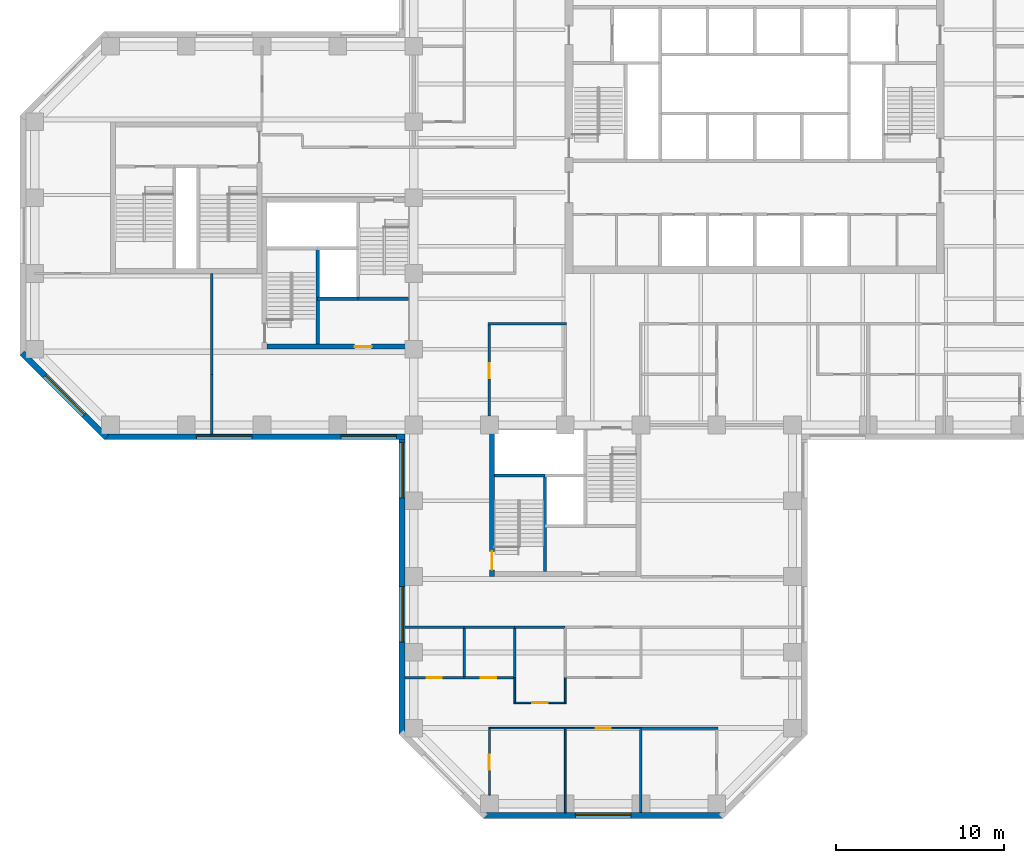
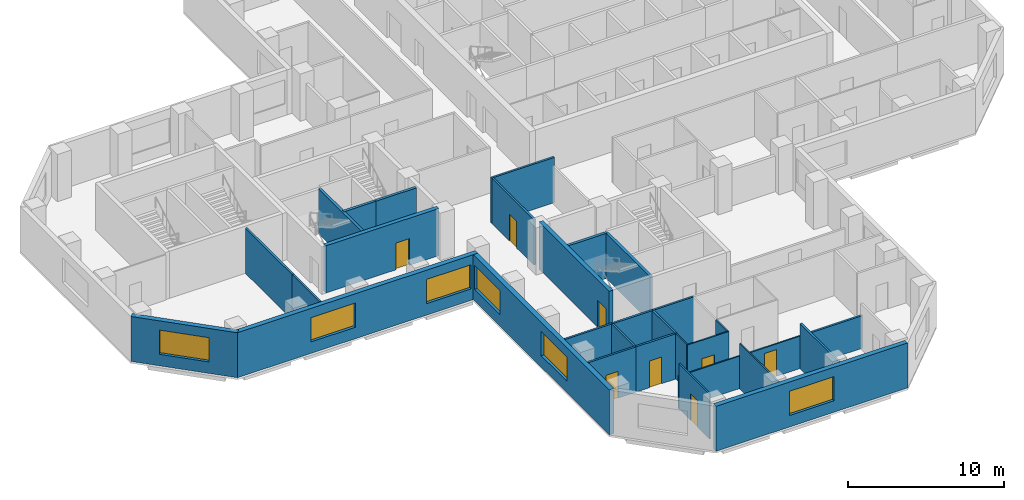
# One storey, part 3 of 11: 31 walls, 8 doors, 6 windows, 14 openings.
"""IFC4 building model written with IfcOpenShell, lengths in metres."""

from ifc_helpers import new_model, si_unit, direction, frame, frame_2d, origin, place, context, subcontext, project, spatial, rectangle, extrude, material, layer, layer_set, constituent, constituent_set, type_object, element, fill, save


model = new_model("IFC4")

# Units and contexts
model_context = context("Model", 3, precision=1e-05, world=origin(), true_north=direction((0.0, 1.0)))
body_context = subcontext(model_context, "Body", "Model", "MODEL_VIEW")
ifc_project = project(units=[si_unit("LENGTHUNIT", "METRE"), si_unit("AREAUNIT", "SQUARE_METRE"), si_unit("VOLUMEUNIT", "CUBIC_METRE"), si_unit("PLANEANGLEUNIT", "RADIAN"), si_unit("MASSUNIT", "GRAM", prefix="KILO")], contexts=[model_context])

# Site, building, storey
site_placement = place(None, origin())
site = spatial("IfcSite", under=ifc_project, at=site_placement, CompositionType="ELEMENT")
building_placement = place(site_placement, origin())
building = spatial("IfcBuilding", under=site, at=building_placement, Name="Quoin Convention Tower", CompositionType="ELEMENT")
storey_placement = place(building_placement, frame((0.0, 0.0, 134.39990234375)))
storey = spatial("IfcBuildingStorey", under=building, at=storey_placement, Name="L35", CompositionType="ELEMENT", Elevation=134.39990234375)

# Walls
ifc_material_1 = material(Name="Plasterboard")
ifc_layer_1 = layer(ifc_material_1, 0.012451171875, Name="Finish")
ifc_material_2 = material(Name="Steel stud framing", Category="steel")
ifc_layer_2 = layer(ifc_material_2, 0.125, Name="Structure")
ifc_layer_3 = layer(ifc_material_1, 0.012451171875, Name="Finish")
ifc_layer_set_1 = layer_set([ifc_layer_1, ifc_layer_2, ifc_layer_3], Name="Steel stud framing")
wall_type_1 = type_object("IfcWallType", Name="Acoustic partition 150", PredefinedType="PARTITIONING", material=ifc_layer_set_1)
wall_1_placement = place(storey_placement, frame((49.5, 17.47509765625, 0.0), z_axis=(0.0, 0.0, 1.0), x_axis=(0.0, 1.0, 0.0)))
element("IfcWall", 1, at=wall_1_placement, inside=storey, type_object=wall_type_1, Name="pw-L35-059", PredefinedType="PARTITIONING", context=body_context, shape_type="SweptSolid", body=[
    extrude(rectangle(XDim=4.949951171875, YDim=0.14990234375, at=frame_2d((2.47509765625, 0.0))), origin(), (0.0, 0.0, 1.0), 3.550048828125),
])
ifc_layer_4 = layer(ifc_material_1, 0.012451171875, Name="Finish")
ifc_layer_5 = layer(ifc_material_2, 0.125, Name="Structure")
ifc_layer_6 = layer(ifc_material_1, 0.012451171875, Name="Finish")
ifc_layer_set_2 = layer_set([ifc_layer_4, ifc_layer_5, ifc_layer_6], Name="Steel stud framing")
wall_type_2 = type_object("IfcWallType", Name="Acoustic partition 150 under beam 1000", PredefinedType="PARTITIONING", material=ifc_layer_set_2)
wall_2_placement = place(storey_placement, frame((49.5, 22.5, 0.0), z_axis=(0.0, 0.0, 1.0), x_axis=(1.0, 0.0, 0.0)))
element("IfcWall", 2, at=wall_2_placement, inside=storey, type_object=wall_type_2, Name="pw-L35-003", PredefinedType="PARTITIONING", context=body_context, shape_type="SweptSolid", body=[
    extrude(rectangle(XDim=4.574951171875, YDim=0.14990234375, at=frame_2d((2.28759765625, 0.0))), origin(), (0.0, 0.0, 1.0), 2.550048828125),
])

# Wall, opening, window
ifc_material_3 = material(Name="Brick masonry", Category="masonry")
ifc_layer_7 = layer(ifc_material_3, 0.35009765625)
ifc_layer_set_3 = layer_set([ifc_layer_7], Name="Brick masonry")
wall_type_3 = type_object("IfcWallType", Name="Brick facade wall", PredefinedType="STANDARD", material=ifc_layer_set_3)
wall_3_placement = place(storey_placement, frame((12.748779296875, 44.76123046875, 0.0), z_axis=(0.0, 0.0, 1.0), x_axis=(0.707106781187, -0.707106781187, 0.0)))
wall_3 = element("IfcWall", 3, at=wall_3_placement, inside=storey, type_object=wall_type_3, Name="fw-L35-13500_45000", PredefinedType="STANDARD", context=body_context, shape_type="SweptSolid", body=[
    extrude(rectangle(XDim=7.088623046875, YDim=0.35009765625, at=frame_2d((3.54443359375, 0.0))), origin(), (0.0, 0.0, 1.0), 3.525146484375),
])
opening_1_placement = place(wall_3_placement, frame((1.894287109375, 0.0, 0.89990234375)))
opening_1 = element("IfcOpeningElement", 4, at=opening_1_placement, cuts=wall_3, Name="Opening W-02", PredefinedType="OPENING", context=body_context, shape_type="SweptSolid", body=[
    extrude(rectangle(XDim=3.300048828125, YDim=1.89990234375, at=frame_2d((1.64990234375, 0.949951171875))), frame((0.0, 0.18505859375, 0.0), z_axis=(0.0, -1.0, 0.0), x_axis=(1.0, 0.0, 0.0)), (0.0, 0.0, 1.0), 0.3701171875),
])
ifc_material_4 = material(Name="Aluminium", Category="aluminium")
ifc_constituent_1 = constituent(ifc_material_4, Name="Frame")
ifc_material_5 = material(Name="Insulated glass", Category="glass")
ifc_constituent_2 = constituent(ifc_material_5, Name="Glazing")
ifc_constituent_set = constituent_set(constituents=[ifc_constituent_1, ifc_constituent_2], Name="Aluminium")
window_type = type_object("IfcWindowType", Name="Office window", PartitioningType="DOUBLE_PANEL_VERTICAL", PredefinedType="WINDOW", material=ifc_constituent_set)
window_1_placement = place(opening_1_placement, origin())
window_1 = element("IfcWindow", 5, at=window_1_placement, inside=storey, type_object=window_type, Name="win-L35-15255_42255", OverallHeight=1.89990234375, OverallWidth=3.300048828125, PartitioningType="SINGLE_PANEL", PredefinedType="WINDOW", context=body_context, shape_type="SweptSolid", body=[
    extrude(rectangle(XDim=3.300048828125, YDim=1.89990234375, at=frame_2d((1.64990234375, 0.949951171875))), frame((0.0, 0.0849609375, 0.0), z_axis=(0.0, -1.0, 0.0), x_axis=(1.0, 0.0, 0.0)), (0.0, 0.0, 1.0), 0.06005859375),
])
fill(opening_1, window_1)

# Wall, openings, windows
wall_4_placement = place(storey_placement, frame((17.6376953125, 39.800048828125, 0.0), z_axis=(0.0, 0.0, 1.0), x_axis=(1.0, 0.0, 0.0)))
wall_4 = element("IfcWall", 6, at=wall_4_placement, inside=storey, type_object=wall_type_3, Name="fw-L35-18000_40500", PredefinedType="STANDARD", context=body_context, shape_type="SweptSolid", body=[
    extrude(rectangle(XDim=17.83740234375, YDim=0.35009765625, at=frame_2d((8.918701171875, 0.0))), origin(), (0.0, 0.0, 1.0), 3.525146484375),
])
opening_2_placement = place(wall_4_placement, frame((5.46240234375, 0.0, 0.89990234375)))
opening_2 = element("IfcOpeningElement", 7, at=opening_2_placement, cuts=wall_4, Name="Opening W-02", PredefinedType="OPENING", context=body_context, shape_type="SweptSolid", body=[
    extrude(rectangle(XDim=3.300048828125, YDim=1.89990234375, at=frame_2d((1.64990234375, 0.949951171875))), frame((0.0, 0.18505859375, 0.0), z_axis=(0.0, -1.0, 0.0), x_axis=(1.0, 0.0, 0.0)), (0.0, 0.0, 1.0), 0.3701171875),
])
opening_3_placement = place(wall_4_placement, frame((14.037353515625, 0.0, 0.89990234375)))
opening_3 = element("IfcOpeningElement", 8, at=opening_3_placement, cuts=wall_4, Name="Opening W-02", PredefinedType="OPENING", context=body_context, shape_type="SweptSolid", body=[
    extrude(rectangle(XDim=3.300048828125, YDim=1.89990234375, at=frame_2d((1.64990234375, 0.949951171875))), frame((0.0, 0.18505859375, 0.0), z_axis=(0.0, -1.0, 0.0), x_axis=(1.0, 0.0, 0.0)), (0.0, 0.0, 1.0), 0.3701171875),
])
window_2_placement = place(opening_2_placement, origin())
window_2 = element("IfcWindow", 9, at=window_2_placement, inside=storey, type_object=window_type, Name="win-L35-24750_39800", OverallHeight=1.89990234375, OverallWidth=3.300048828125, PartitioningType="SINGLE_PANEL", PredefinedType="WINDOW", context=body_context, shape_type="SweptSolid", body=[
    extrude(rectangle(XDim=3.300048828125, YDim=1.89990234375, at=frame_2d((1.64990234375, 0.949951171875))), frame((0.0, 0.0849609375, 0.0), z_axis=(0.0, -1.0, 0.0), x_axis=(1.0, 0.0, 0.0)), (0.0, 0.0, 1.0), 0.06005859375),
])
fill(opening_2, window_2)
window_3_placement = place(opening_3_placement, origin())
window_3 = element("IfcWindow", 10, at=window_3_placement, inside=storey, type_object=window_type, Name="win-L35-33750_39800", OverallHeight=1.89990234375, OverallWidth=3.300048828125, PartitioningType="SINGLE_PANEL", PredefinedType="WINDOW", context=body_context, shape_type="SweptSolid", body=[
    extrude(rectangle(XDim=3.300048828125, YDim=1.89990234375, at=frame_2d((1.64990234375, 0.949951171875))), frame((0.0, 0.0849609375, 0.0), z_axis=(0.0, -1.0, 0.0), x_axis=(1.0, 0.0, 0.0)), (0.0, 0.0, 1.0), 0.06005859375),
])
fill(opening_3, window_3)

wall_5_placement = place(storey_placement, frame((35.300048828125, 39.97509765625, 0.0), z_axis=(0.0, 0.0, 1.0), x_axis=(0.0, -1.0, 0.0)))
wall_5 = element("IfcWall", 11, at=wall_5_placement, inside=storey, type_object=wall_type_3, Name="fw-L35-36000_40500", PredefinedType="STANDARD", context=body_context, shape_type="SweptSolid", body=[
    extrude(rectangle(XDim=17.83740234375, YDim=0.35009765625, at=frame_2d((8.918701171875, 0.0))), origin(), (0.0, 0.0, 1.0), 3.525146484375),
])
opening_4_placement = place(wall_5_placement, frame((0.5, 0.0, 0.89990234375)))
opening_4 = element("IfcOpeningElement", 12, at=opening_4_placement, cuts=wall_5, Name="Opening W-02", PredefinedType="OPENING", context=body_context, shape_type="SweptSolid", body=[
    extrude(rectangle(XDim=3.300048828125, YDim=1.89990234375, at=frame_2d((1.64990234375, 0.949951171875))), frame((0.0, 0.18505859375, 0.0), z_axis=(0.0, -1.0, 0.0), x_axis=(1.0, 0.0, 0.0)), (0.0, 0.0, 1.0), 0.3701171875),
])
opening_5_placement = place(wall_5_placement, frame((9.074951171875, 0.0, 0.89990234375)))
opening_5 = element("IfcOpeningElement", 13, at=opening_5_placement, cuts=wall_5, Name="Opening W-02", PredefinedType="OPENING", context=body_context, shape_type="SweptSolid", body=[
    extrude(rectangle(XDim=3.300048828125, YDim=1.89990234375, at=frame_2d((1.64990234375, 0.949951171875))), frame((0.0, 0.18505859375, 0.0), z_axis=(0.0, -1.0, 0.0), x_axis=(1.0, 0.0, 0.0)), (0.0, 0.0, 1.0), 0.3701171875),
])
window_4_placement = place(opening_4_placement, origin())
window_4 = element("IfcWindow", 14, at=window_4_placement, inside=storey, type_object=window_type, Name="win-L35-35300_38250", OverallHeight=1.89990234375, OverallWidth=3.300048828125, PartitioningType="SINGLE_PANEL", PredefinedType="WINDOW", context=body_context, shape_type="SweptSolid", body=[
    extrude(rectangle(XDim=3.300048828125, YDim=1.89990234375, at=frame_2d((1.64990234375, 0.949951171875))), frame((0.0, 0.0849609375, 0.0), z_axis=(0.0, -1.0, 0.0), x_axis=(1.0, 0.0, 0.0)), (0.0, 0.0, 1.0), 0.06005859375),
])
fill(opening_4, window_4)
window_5_placement = place(opening_5_placement, origin())
window_5 = element("IfcWindow", 15, at=window_5_placement, inside=storey, type_object=window_type, Name="win-L35-35300_29250", OverallHeight=1.89990234375, OverallWidth=3.300048828125, PartitioningType="SINGLE_PANEL", PredefinedType="WINDOW", context=body_context, shape_type="SweptSolid", body=[
    extrude(rectangle(XDim=3.300048828125, YDim=1.89990234375, at=frame_2d((1.64990234375, 0.949951171875))), frame((0.0, 0.0849609375, 0.0), z_axis=(0.0, -1.0, 0.0), x_axis=(1.0, 0.0, 0.0)), (0.0, 0.0, 1.0), 0.06005859375),
])
fill(opening_5, window_5)

# Wall, opening, window
wall_6_placement = place(storey_placement, frame((40.1376953125, 17.300048828125, 0.0), z_axis=(0.0, 0.0, 1.0), x_axis=(1.0, 0.0, 0.0)))
wall_6 = element("IfcWall", 16, at=wall_6_placement, inside=storey, type_object=wall_type_3, Name="fw-L35-40500_18000", PredefinedType="STANDARD", context=body_context, shape_type="SweptSolid", body=[
    extrude(rectangle(XDim=14.224609375, YDim=0.35009765625, at=frame_2d((7.1123046875, 0.0))), origin(), (0.0, 0.0, 1.0), 3.525146484375),
])
opening_6_placement = place(wall_6_placement, frame((5.46240234375, 0.0, 0.89990234375)))
opening_6 = element("IfcOpeningElement", 17, at=opening_6_placement, cuts=wall_6, Name="Opening W-02", PredefinedType="OPENING", context=body_context, shape_type="SweptSolid", body=[
    extrude(rectangle(XDim=3.300048828125, YDim=1.89990234375, at=frame_2d((1.64990234375, 0.949951171875))), frame((0.0, 0.18505859375, 0.0), z_axis=(0.0, -1.0, 0.0), x_axis=(1.0, 0.0, 0.0)), (0.0, 0.0, 1.0), 0.3701171875),
])
window_6_placement = place(opening_6_placement, origin())
window_6 = element("IfcWindow", 18, at=window_6_placement, inside=storey, type_object=window_type, Name="win-L35-47250_17300", OverallHeight=1.89990234375, OverallWidth=3.300048828125, PartitioningType="SINGLE_PANEL", PredefinedType="WINDOW", context=body_context, shape_type="SweptSolid", body=[
    extrude(rectangle(XDim=3.300048828125, YDim=1.89990234375, at=frame_2d((1.64990234375, 0.949951171875))), frame((0.0, 0.0849609375, 0.0), z_axis=(0.0, -1.0, 0.0), x_axis=(1.0, 0.0, 0.0)), (0.0, 0.0, 1.0), 0.06005859375),
])
fill(opening_6, window_6)

# Walls
ifc_material_6 = material(Name="Concrete C50", Category="concrete")
ifc_layer_8 = layer(ifc_material_6, 0.199951171875)
ifc_layer_set_4 = layer_set([ifc_layer_8], Name="Concrete C50")
wall_type_4 = type_object("IfcWallType", Name="Core shaft wall", PredefinedType="SOLIDWALL", material=ifc_layer_set_4)
wall_7_placement = place(storey_placement, frame((30.300048828125, 48.0, 0.0), z_axis=(0.0, 0.0, 1.0), x_axis=(1.0, 0.0, 0.0)))
element("IfcWall", 19, at=wall_7_placement, inside=storey, type_object=wall_type_4, Name="cr-P2-L35-h3000_3300", PredefinedType="SOLIDWALL", context=body_context, shape_type="SweptSolid", body=[
    extrude(rectangle(XDim=2.39990234375, YDim=0.199951171875, at=frame_2d((1.199951171875, 0.0))), origin(), (0.0, 0.0, 1.0), 3.550048828125),
])
wall_8_placement = place(storey_placement, frame((32.699951171875, 48.0, 0.0), z_axis=(0.0, 0.0, 1.0), x_axis=(1.0, 0.0, 0.0)))
element("IfcWall", 20, at=wall_8_placement, inside=storey, type_object=wall_type_4, Name="cr-P2-L35-h3000_5700", PredefinedType="SOLIDWALL", context=body_context, shape_type="SweptSolid", body=[
    extrude(rectangle(XDim=3.0, YDim=0.199951171875, at=frame_2d((1.5, 0.0))), origin(), (0.0, 0.0, 1.0), 3.550048828125),
])
wall_9_placement = place(storey_placement, frame((30.300048828125, 45.300048828125, 0.0), z_axis=(0.0, 0.0, 1.0), x_axis=(0.0, 1.0, 0.0)))
element("IfcWall", 21, at=wall_9_placement, inside=storey, type_object=wall_type_4, Name="cr-P2-L35-v3300_300", PredefinedType="SOLIDWALL", context=body_context, shape_type="SweptSolid", body=[
    extrude(rectangle(XDim=5.699951171875, YDim=0.199951171875, at=frame_2d((2.85009765625, 0.0))), origin(), (0.0, 0.0, 1.0), 3.550048828125),
])
wall_10_placement = place(storey_placement, frame((40.800048828125, 37.5, 0.0), z_axis=(0.0, 0.0, 1.0), x_axis=(1.0, 0.0, 0.0)))
element("IfcWall", 22, at=wall_10_placement, inside=storey, type_object=wall_type_4, Name="cr-P3-L35-h6000_300", PredefinedType="SOLIDWALL", context=body_context, shape_type="SweptSolid", body=[
    extrude(rectangle(XDim=3.0, YDim=0.199951171875, at=frame_2d((1.5, 0.0))), origin(), (0.0, 0.0, 1.0), 3.550048828125),
])
wall_11_placement = place(storey_placement, frame((43.800048828125, 31.800048828125, 0.0), z_axis=(0.0, 0.0, 1.0), x_axis=(0.0, 1.0, 0.0)))
element("IfcWall", 23, at=wall_11_placement, inside=storey, type_object=wall_type_4, Name="cr-P3-L35-v3300_300", PredefinedType="SOLIDWALL", context=body_context, shape_type="SweptSolid", body=[
    extrude(rectangle(XDim=5.699951171875, YDim=0.199951171875, at=frame_2d((2.85009765625, 0.0))), origin(), (0.0, 0.0, 1.0), 3.550048828125),
])
ifc_layer_9 = layer(ifc_material_1, 0.012451171875, Name="Finish")
ifc_layer_10 = layer(ifc_material_2, 0.125, Name="Structure")
ifc_layer_11 = layer(ifc_material_1, 0.012451171875, Name="Finish")
ifc_layer_set_5 = layer_set([ifc_layer_9, ifc_layer_10, ifc_layer_11], Name="Steel stud framing")
wall_type_5 = type_object("IfcWallType", Name="Corridor wall 150", PredefinedType="PARTITIONING", material=ifc_layer_set_5)
wall_12_placement = place(storey_placement, frame((35.47509765625, 28.5, 0.0), z_axis=(0.0, 0.0, 1.0), x_axis=(1.0, 0.0, 0.0)))
element("IfcWall", 24, at=wall_12_placement, inside=storey, type_object=wall_type_5, Name="pw-L35-009", PredefinedType="PARTITIONING", context=body_context, shape_type="SweptSolid", body=[
    extrude(rectangle(XDim=3.52490234375, YDim=0.14990234375, at=frame_2d((1.762451171875, 0.0))), origin(), (0.0, 0.0, 1.0), 3.550048828125),
])
for number, where, z_axis, x_axis, name in (
    (25, (39.0, 28.5, 0.0), (0.0, 0.0, 1.0), (1.0, 0.0, 0.0), "pw-L35-010"),
    (26, (42.0, 28.5, 0.0), (0.0, 0.0, 1.0), (1.0, 0.0, 0.0), "pw-L35-011"),
):
    element("IfcWall", number, at=place(storey_placement, frame(where, z_axis=z_axis, x_axis=x_axis)), inside=storey, type_object=wall_type_5, Name=name, PredefinedType="PARTITIONING", context=body_context, shape_type="SweptSolid", body=[
        extrude(rectangle(XDim=3.0, YDim=0.14990234375, at=frame_2d((1.5, 0.0))), origin(), (0.0, 0.0, 1.0), 3.550048828125),
    ])
wall_13_placement = place(storey_placement, frame((40.425048828125, 46.5, 0.0), z_axis=(0.0, 0.0, 1.0), x_axis=(1.0, 0.0, 0.0)))
element("IfcWall", 27, at=wall_13_placement, inside=storey, type_object=wall_type_5, Name="pw-L35-023", PredefinedType="PARTITIONING", context=body_context, shape_type="SweptSolid", body=[
    extrude(rectangle(XDim=4.64990234375, YDim=0.14990234375, at=frame_2d((2.324951171875, 0.0))), origin(), (0.0, 0.0, 1.0), 3.550048828125),
])
wall_14_placement = place(storey_placement, frame((24.0, 39.97509765625, 0.0), z_axis=(0.0, 0.0, 1.0), x_axis=(0.0, 1.0, 0.0)))
element("IfcWall", 28, at=wall_14_placement, inside=storey, type_object=wall_type_5, Name="pw-L35-070", PredefinedType="PARTITIONING", context=body_context, shape_type="SweptSolid", body=[
    extrude(rectangle(XDim=3.52490234375, YDim=0.14990234375, at=frame_2d((1.762451171875, 0.0))), origin(), (0.0, 0.0, 1.0), 3.550048828125),
])

# Wall, opening, door
wall_15_placement = place(storey_placement, frame((40.5, 41.02490234375, 0.0), z_axis=(0.0, 0.0, 1.0), x_axis=(0.0, 1.0, 0.0)))
wall_15 = element("IfcWall", 29, at=wall_15_placement, inside=storey, type_object=wall_type_5, Name="pw-L35-073", PredefinedType="PARTITIONING", context=body_context, shape_type="SweptSolid", body=[
    extrude(rectangle(XDim=5.400146484375, YDim=0.14990234375, at=frame_2d((2.7001953125, 0.0))), origin(), (0.0, 0.0, 1.0), 3.550048828125),
])
opening_7_placement = place(wall_15_placement, frame((2.25, 0.0, 0.0)))
opening_7 = element("IfcOpeningElement", 30, at=opening_7_placement, cuts=wall_15, Name="Opening DOL7-27", PredefinedType="OPENING", context=body_context, shape_type="SweptSolid", body=[
    extrude(rectangle(XDim=0.89990234375, YDim=2.10009765625, at=frame_2d((0.449951171875, 1.050048828125))), frame((0.0, 0.0849609375, 0.0), z_axis=(0.0, -1.0, 0.0), x_axis=(1.0, 0.0, 0.0)), (0.0, 0.0, 1.0), 0.169921875),
])
ifc_material_7 = material(Name="Steel door leaf", Category="steel")
door_type_1 = type_object("IfcDoorType", Name="Office door 900 x 2100", OperationType="SINGLE_SWING_RIGHT", PredefinedType="DOOR", material=ifc_material_7)
door_1_placement = place(opening_7_placement, frame((0.89990234375, 0.0, 0.0), z_axis=(0.0, 0.0, 1.0), x_axis=(-1.0, 0.0, 0.0)))
door_1 = element("IfcDoor", 31, at=door_1_placement, inside=storey, type_object=door_type_1, Name="dr-L35-02", OperationType="SINGLE_SWING_LEFT", OverallHeight=2.10009765625, OverallWidth=0.89990234375, PredefinedType="DOOR", context=body_context, shape_type="SweptSolid", body=[
    extrude(rectangle(XDim=0.89990234375, YDim=2.10009765625, at=frame_2d((0.449951171875, 1.050048828125))), frame((0.0, 0.02490234375, 0.0), z_axis=(0.0, -1.0, 0.0), x_axis=(1.0, 0.0, 0.0)), (0.0, 0.0, 1.0), 0.050048828125),
])
fill(opening_7, door_1)

# Wall
wall_16_placement = place(storey_placement, frame((24.0, 43.5, 0.0), z_axis=(0.0, 0.0, 1.0), x_axis=(0.0, 1.0, 0.0)))
element("IfcWall", 32, at=wall_16_placement, inside=storey, type_object=wall_type_5, Name="pw-L35-078", PredefinedType="PARTITIONING", context=body_context, shape_type="SweptSolid", body=[
    extrude(rectangle(XDim=6.0, YDim=0.14990234375, at=frame_2d((3.0, 0.0))), origin(), (0.0, 0.0, 1.0), 3.550048828125),
])

# Wall, opening, door
ifc_material_8 = material(Name="Concrete C65", Category="concrete")
ifc_layer_12 = layer(ifc_material_8, 0.300048828125)
ifc_layer_set_6 = layer_set([ifc_layer_12], Name="Concrete C65")
wall_type_6 = type_object("IfcWallType", Name="RC CORE WALL 300 C65", PredefinedType="SHEAR", material=ifc_layer_set_6)
wall_17_placement = place(storey_placement, frame((27.300048828125, 45.14990234375, 0.0), z_axis=(0.0, 0.0, 1.0), x_axis=(1.0, 0.0, 0.0)))
wall_17 = element("IfcWall", 33, at=wall_17_placement, inside=storey, type_object=wall_type_6, Name="cwl-P2-L35-S", PredefinedType="SHEAR", context=body_context, shape_type="SweptSolid", body=[
    extrude(rectangle(XDim=8.39990234375, YDim=0.300048828125, at=frame_2d((4.199951171875, 0.0))), origin(), (0.0, 0.0, 1.0), 3.7001953125),
])
opening_8_placement = place(wall_17_placement, frame((5.199951171875, 0.0, 0.0)))
opening_8 = element("IfcOpeningElement", 34, at=opening_8_placement, cuts=wall_17, Name="Opening DCV0-60", PredefinedType="OPENING", context=body_context, shape_type="SweptSolid", body=[
    extrude(rectangle(XDim=1.0, YDim=2.10009765625, at=frame_2d((0.5, 1.050048828125))), frame((0.0, 0.159912109375, 0.0), z_axis=(0.0, -1.0, 0.0), x_axis=(1.0, 0.0, 0.0)), (0.0, 0.0, 1.0), 0.320068359375),
])
door_type_2 = type_object("IfcDoorType", Name="Service door 1000 x 2100", OperationType="SINGLE_SWING_LEFT", PredefinedType="DOOR", material=ifc_material_7)
door_2_placement = place(opening_8_placement, origin())
door_2 = element("IfcDoor", 35, at=door_2_placement, inside=storey, type_object=door_type_2, Name="cd-P2-L35-R2-S", OperationType="SINGLE_SWING_LEFT", OverallHeight=2.10009765625, OverallWidth=1.0, PredefinedType="DOOR", context=body_context, shape_type="SweptSolid", body=[
    extrude(rectangle(XDim=1.0, YDim=2.10009765625, at=frame_2d((0.5, 1.050048828125))), frame((0.0, 0.02490234375, 0.0), z_axis=(0.0, -1.0, 0.0), x_axis=(1.0, 0.0, 0.0)), (0.0, 0.0, 1.0), 0.050048828125),
])
fill(opening_8, door_2)

wall_18_placement = place(storey_placement, frame((40.64990234375, 31.5, 0.0), z_axis=(0.0, 0.0, 1.0), x_axis=(0.0, 1.0, 0.0)))
wall_18 = element("IfcWall", 36, at=wall_18_placement, inside=storey, type_object=wall_type_6, Name="cwl-P3-L35-W", PredefinedType="SHEAR", context=body_context, shape_type="SweptSolid", body=[
    extrude(rectangle(XDim=9.0, YDim=0.300048828125, at=frame_2d((4.5, 0.0))), origin(), (0.0, 0.0, 1.0), 3.7001953125),
])
opening_9_placement = place(wall_18_placement, frame((0.39990234375, 0.0, 0.0)))
opening_9 = element("IfcOpeningElement", 37, at=opening_9_placement, cuts=wall_18, Name="Opening SD5", PredefinedType="OPENING", context=body_context, shape_type="SweptSolid", body=[
    extrude(rectangle(XDim=1.10009765625, YDim=2.10009765625, at=frame_2d((0.550048828125, 1.050048828125))), frame((0.0, 0.159912109375, 0.0), z_axis=(0.0, -1.0, 0.0), x_axis=(1.0, 0.0, 0.0)), (0.0, 0.0, 1.0), 0.320068359375),
])
door_type_3 = type_object("IfcDoorType", Name="Stair door 1100 x 2100", OperationType="SINGLE_SWING_RIGHT", PredefinedType="DOOR", material=ifc_material_7)
door_3_placement = place(opening_9_placement, frame((1.10009765625, 0.0, 0.0), z_axis=(0.0, 0.0, 1.0), x_axis=(-1.0, 0.0, 0.0)))
door_3 = element("IfcDoor", 38, at=door_3_placement, inside=storey, type_object=door_type_3, Name="cd-P3-L35-SA-W", OperationType="SINGLE_SWING_RIGHT", OverallHeight=2.10009765625, OverallWidth=1.10009765625, PredefinedType="DOOR", context=body_context, shape_type="SweptSolid", body=[
    extrude(rectangle(XDim=1.10009765625, YDim=2.10009765625, at=frame_2d((0.550048828125, 1.050048828125))), frame((0.0, 0.02490234375, 0.0), z_axis=(0.0, -1.0, 0.0), x_axis=(1.0, 0.0, 0.0)), (0.0, 0.0, 1.0), 0.050048828125),
])
fill(opening_9, door_3)

ifc_layer_13 = layer(ifc_material_1, 0.012451171875, Name="Finish")
ifc_layer_14 = layer(ifc_material_2, 0.074951171875, Name="Structure")
ifc_layer_15 = layer(ifc_material_1, 0.012451171875, Name="Finish")
ifc_layer_set_7 = layer_set([ifc_layer_13, ifc_layer_14, ifc_layer_15], Name="Steel stud framing")
wall_type_7 = type_object("IfcWallType", Name="Stud partition 100", PredefinedType="PARTITIONING", material=ifc_layer_set_7)
wall_19_placement = place(storey_placement, frame((41.949951171875, 24.0, 0.0), z_axis=(0.0, 0.0, 1.0), x_axis=(1.0, 0.0, 0.0)))
wall_19 = element("IfcWall", 39, at=wall_19_placement, inside=storey, type_object=wall_type_7, Name="pw-L35-004", PredefinedType="PARTITIONING", context=body_context, shape_type="SweptSolid", body=[
    extrude(rectangle(XDim=3.10009765625, YDim=0.10009765625, at=frame_2d((1.550048828125, 0.0))), origin(), (0.0, 0.0, 1.0), 3.550048828125),
])
opening_10_placement = place(wall_19_placement, frame((1.10009765625, 0.0, 0.0)))
opening_10 = element("IfcOpeningElement", 40, at=opening_10_placement, cuts=wall_19, Name="Opening DOL7-02", PredefinedType="OPENING", context=body_context, shape_type="SweptSolid", body=[
    extrude(rectangle(XDim=0.89990234375, YDim=2.10009765625, at=frame_2d((0.449951171875, 1.050048828125))), frame((0.0, 0.06005859375, 0.0), z_axis=(0.0, -1.0, 0.0), x_axis=(1.0, 0.0, 0.0)), (0.0, 0.0, 1.0), 0.1201171875),
])
door_4_placement = place(opening_10_placement, frame((0.89990234375, 0.0, 0.0), z_axis=(0.0, 0.0, 1.0), x_axis=(-1.0, 0.0, 0.0)))
door_4 = element("IfcDoor", 41, at=door_4_placement, inside=storey, type_object=door_type_1, Name="dr-L35-15", OperationType="SINGLE_SWING_LEFT", OverallHeight=2.10009765625, OverallWidth=0.89990234375, PredefinedType="DOOR", context=body_context, shape_type="SweptSolid", body=[
    extrude(rectangle(XDim=0.89990234375, YDim=2.10009765625, at=frame_2d((0.449951171875, 1.050048828125))), frame((0.0, 0.02490234375, 0.0), z_axis=(0.0, -1.0, 0.0), x_axis=(1.0, 0.0, 0.0)), (0.0, 0.0, 1.0), 0.050048828125),
])
fill(opening_10, door_4)

# Wall
wall_20_placement = place(storey_placement, frame((45.0, 17.47509765625, 0.0), z_axis=(0.0, 0.0, 1.0), x_axis=(0.0, 1.0, 0.0)))
element("IfcWall", 42, at=wall_20_placement, inside=storey, type_object=wall_type_7, Name="pw-L35-058", PredefinedType="PARTITIONING", context=body_context, shape_type="SweptSolid", body=[
    extrude(rectangle(XDim=4.974853515625, YDim=0.10009765625, at=frame_2d((2.4873046875, 0.0))), origin(), (0.0, 0.0, 1.0), 3.550048828125),
])

# Wall, opening, door
wall_21_placement = place(storey_placement, frame((40.5, 18.52490234375, 0.0), z_axis=(0.0, 0.0, 1.0), x_axis=(0.0, 1.0, 0.0)))
wall_21 = element("IfcWall", 43, at=wall_21_placement, inside=storey, type_object=wall_type_7, Name="pw-L35-060", PredefinedType="PARTITIONING", context=body_context, shape_type="SweptSolid", body=[
    extrude(rectangle(XDim=3.925048828125, YDim=0.10009765625, at=frame_2d((1.96240234375, 0.0))), origin(), (0.0, 0.0, 1.0), 3.550048828125),
])
opening_11_placement = place(wall_21_placement, frame((1.5, 0.0, 0.0)))
opening_11 = element("IfcOpeningElement", 44, at=opening_11_placement, cuts=wall_21, Name="Opening DOL7-25", PredefinedType="OPENING", context=body_context, shape_type="SweptSolid", body=[
    extrude(rectangle(XDim=0.89990234375, YDim=2.10009765625, at=frame_2d((0.449951171875, 1.050048828125))), frame((0.0, 0.06005859375, 0.0), z_axis=(0.0, -1.0, 0.0), x_axis=(1.0, 0.0, 0.0)), (0.0, 0.0, 1.0), 0.1201171875),
])
door_5_placement = place(opening_11_placement, origin())
door_5 = element("IfcDoor", 45, at=door_5_placement, inside=storey, type_object=door_type_1, Name="dr-L35-11", OperationType="SINGLE_SWING_RIGHT", OverallHeight=2.10009765625, OverallWidth=0.89990234375, PredefinedType="DOOR", context=body_context, shape_type="SweptSolid", body=[
    extrude(rectangle(XDim=0.89990234375, YDim=2.10009765625, at=frame_2d((0.449951171875, 1.050048828125))), frame((0.0, 0.02490234375, 0.0), z_axis=(0.0, -1.0, 0.0), x_axis=(1.0, 0.0, 0.0)), (0.0, 0.0, 1.0), 0.050048828125),
])
fill(opening_11, door_5)

# Walls
for number, where, z_axis, x_axis, name in (
    (46, (42.0, 24.050048828125, 0.0), (0.0, 0.0, 1.0), (0.0, 1.0, 0.0), "pw-L35-062"),
    (47, (45.0, 24.050048828125, 0.0), (0.0, 0.0, 1.0), (0.0, 1.0, 0.0), "pw-L35-063"),
):
    element("IfcWall", number, at=place(storey_placement, frame(where, z_axis=z_axis, x_axis=x_axis)), inside=storey, type_object=wall_type_7, Name=name, PredefinedType="PARTITIONING", context=body_context, shape_type="SweptSolid", body=[
        extrude(rectangle(XDim=1.449951171875, YDim=0.10009765625, at=frame_2d((0.72509765625, 0.0))), origin(), (0.0, 0.0, 1.0), 3.550048828125),
    ])
ifc_layer_16 = layer(ifc_material_1, 0.012451171875, Name="Finish")
ifc_layer_17 = layer(ifc_material_2, 0.074951171875, Name="Structure")
ifc_layer_18 = layer(ifc_material_1, 0.012451171875, Name="Finish")
ifc_layer_set_8 = layer_set([ifc_layer_16, ifc_layer_17, ifc_layer_18], Name="Steel stud framing")
wall_type_8 = type_object("IfcWallType", Name="Stud partition 100 under beam 1000", PredefinedType="PARTITIONING", material=ifc_layer_set_8)
wall_22_placement = place(storey_placement, frame((40.449951171875, 22.5, 0.0), z_axis=(0.0, 0.0, 1.0), x_axis=(1.0, 0.0, 0.0)))
element("IfcWall", 48, at=wall_22_placement, inside=storey, type_object=wall_type_8, Name="pw-L35-001", PredefinedType="PARTITIONING", context=body_context, shape_type="SweptSolid", body=[
    extrude(rectangle(XDim=4.550048828125, YDim=0.10009765625, at=frame_2d((2.27490234375, 0.0))), origin(), (0.0, 0.0, 1.0), 2.550048828125),
])

# Wall, opening, door
wall_23_placement = place(storey_placement, frame((45.0, 22.5, 0.0), z_axis=(0.0, 0.0, 1.0), x_axis=(1.0, 0.0, 0.0)))
wall_23 = element("IfcWall", 49, at=wall_23_placement, inside=storey, type_object=wall_type_8, Name="pw-L35-002", PredefinedType="PARTITIONING", context=body_context, shape_type="SweptSolid", body=[
    extrude(rectangle(XDim=4.5, YDim=0.10009765625, at=frame_2d((2.25, 0.0))), origin(), (0.0, 0.0, 1.0), 2.550048828125),
])
opening_12_placement = place(wall_23_placement, frame((1.800048828125, 0.0, 0.0)))
opening_12 = element("IfcOpeningElement", 50, at=opening_12_placement, cuts=wall_23, Name="Opening DOL7-01", PredefinedType="OPENING", context=body_context, shape_type="SweptSolid", body=[
    extrude(rectangle(XDim=0.89990234375, YDim=2.10009765625, at=frame_2d((0.449951171875, 1.050048828125))), frame((0.0, 0.06005859375, 0.0), z_axis=(0.0, -1.0, 0.0), x_axis=(1.0, 0.0, 0.0)), (0.0, 0.0, 1.0), 0.1201171875),
])
door_6_placement = place(opening_12_placement, origin())
door_6 = element("IfcDoor", 51, at=door_6_placement, inside=storey, type_object=door_type_1, Name="dr-L35-12", OperationType="SINGLE_SWING_RIGHT", OverallHeight=2.10009765625, OverallWidth=0.89990234375, PredefinedType="DOOR", context=body_context, shape_type="SweptSolid", body=[
    extrude(rectangle(XDim=0.89990234375, YDim=2.10009765625, at=frame_2d((0.449951171875, 1.050048828125))), frame((0.0, 0.02490234375, 0.0), z_axis=(0.0, -1.0, 0.0), x_axis=(1.0, 0.0, 0.0)), (0.0, 0.0, 1.0), 0.050048828125),
])
fill(opening_12, door_6)

ifc_layer_19 = layer(ifc_material_1, 0.012451171875, Name="Finish")
ifc_layer_20 = layer(ifc_material_2, 0.125, Name="Structure")
ifc_layer_21 = layer(ifc_material_1, 0.012451171875, Name="Finish")
ifc_layer_set_9 = layer_set([ifc_layer_19, ifc_layer_20, ifc_layer_21], Name="Steel stud framing")
wall_type_9 = type_object("IfcWallType", Name="Wet area partition 150", PredefinedType="PARTITIONING", material=ifc_layer_set_9)
wall_24_placement = place(storey_placement, frame((35.47509765625, 25.5, 0.0), z_axis=(0.0, 0.0, 1.0), x_axis=(1.0, 0.0, 0.0)))
wall_24 = element("IfcWall", 52, at=wall_24_placement, inside=storey, type_object=wall_type_9, Name="pw-L35-005", PredefinedType="PARTITIONING", context=body_context, shape_type="SweptSolid", body=[
    extrude(rectangle(XDim=3.52490234375, YDim=0.14990234375, at=frame_2d((1.762451171875, 0.0))), origin(), (0.0, 0.0, 1.0), 3.550048828125),
])
opening_13_placement = place(wall_24_placement, frame((1.300048828125, 0.0, 0.0)))
opening_13 = element("IfcOpeningElement", 53, at=opening_13_placement, cuts=wall_24, Name="Opening DOL7-03", PredefinedType="OPENING", context=body_context, shape_type="SweptSolid", body=[
    extrude(rectangle(XDim=0.89990234375, YDim=2.10009765625, at=frame_2d((0.449951171875, 1.050048828125))), frame((0.0, 0.0849609375, 0.0), z_axis=(0.0, -1.0, 0.0), x_axis=(1.0, 0.0, 0.0)), (0.0, 0.0, 1.0), 0.169921875),
])
door_7_placement = place(opening_13_placement, frame((0.89990234375, 0.0, 0.0), z_axis=(0.0, 0.0, 1.0), x_axis=(-1.0, 0.0, 0.0)))
door_7 = element("IfcDoor", 54, at=door_7_placement, inside=storey, type_object=door_type_1, Name="dr-L35-16", OperationType="SINGLE_SWING_LEFT", OverallHeight=2.10009765625, OverallWidth=0.89990234375, PredefinedType="DOOR", context=body_context, shape_type="SweptSolid", body=[
    extrude(rectangle(XDim=0.89990234375, YDim=2.10009765625, at=frame_2d((0.449951171875, 1.050048828125))), frame((0.0, 0.02490234375, 0.0), z_axis=(0.0, -1.0, 0.0), x_axis=(1.0, 0.0, 0.0)), (0.0, 0.0, 1.0), 0.050048828125),
])
fill(opening_13, door_7)

wall_25_placement = place(storey_placement, frame((39.0, 25.5, 0.0), z_axis=(0.0, 0.0, 1.0), x_axis=(1.0, 0.0, 0.0)))
wall_25 = element("IfcWall", 55, at=wall_25_placement, inside=storey, type_object=wall_type_9, Name="pw-L35-006", PredefinedType="PARTITIONING", context=body_context, shape_type="SweptSolid", body=[
    extrude(rectangle(XDim=2.925048828125, YDim=0.14990234375, at=frame_2d((1.46240234375, 0.0))), origin(), (0.0, 0.0, 1.0), 3.550048828125),
])
opening_14_placement = place(wall_25_placement, frame((1.0, 0.0, 0.0)))
opening_14 = element("IfcOpeningElement", 56, at=opening_14_placement, cuts=wall_25, Name="Opening DOL7-04", PredefinedType="OPENING", context=body_context, shape_type="SweptSolid", body=[
    extrude(rectangle(XDim=0.89990234375, YDim=2.10009765625, at=frame_2d((0.449951171875, 1.050048828125))), frame((0.0, 0.0849609375, 0.0), z_axis=(0.0, -1.0, 0.0), x_axis=(1.0, 0.0, 0.0)), (0.0, 0.0, 1.0), 0.169921875),
])
door_8_placement = place(opening_14_placement, frame((0.89990234375, 0.0, 0.0), z_axis=(0.0, 0.0, 1.0), x_axis=(-1.0, 0.0, 0.0)))
door_8 = element("IfcDoor", 57, at=door_8_placement, inside=storey, type_object=door_type_1, Name="dr-L35-10", OperationType="SINGLE_SWING_LEFT", OverallHeight=2.10009765625, OverallWidth=0.89990234375, PredefinedType="DOOR", context=body_context, shape_type="SweptSolid", body=[
    extrude(rectangle(XDim=0.89990234375, YDim=2.10009765625, at=frame_2d((0.449951171875, 1.050048828125))), frame((0.0, 0.02490234375, 0.0), z_axis=(0.0, -1.0, 0.0), x_axis=(1.0, 0.0, 0.0)), (0.0, 0.0, 1.0), 0.050048828125),
])
fill(opening_14, door_8)

# Walls
wall_26_placement = place(storey_placement, frame((42.0, 25.5, 0.0), z_axis=(0.0, 0.0, 1.0), x_axis=(0.0, 1.0, 0.0)))
element("IfcWall", 58, at=wall_26_placement, inside=storey, type_object=wall_type_9, Name="pw-L35-064", PredefinedType="PARTITIONING", context=body_context, shape_type="SweptSolid", body=[
    extrude(rectangle(XDim=2.925048828125, YDim=0.14990234375, at=frame_2d((1.46240234375, 0.0))), origin(), (0.0, 0.0, 1.0), 3.550048828125),
])
wall_27_placement = place(storey_placement, frame((39.0, 25.574951171875, 0.0), z_axis=(0.0, 0.0, 1.0), x_axis=(0.0, 1.0, 0.0)))
element("IfcWall", 59, at=wall_27_placement, inside=storey, type_object=wall_type_9, Name="pw-L35-067", PredefinedType="PARTITIONING", context=body_context, shape_type="SweptSolid", body=[
    extrude(rectangle(XDim=2.85009765625, YDim=0.14990234375, at=frame_2d((1.425048828125, 0.0))), origin(), (0.0, 0.0, 1.0), 3.550048828125),
])

save(model, "model.ifc")
